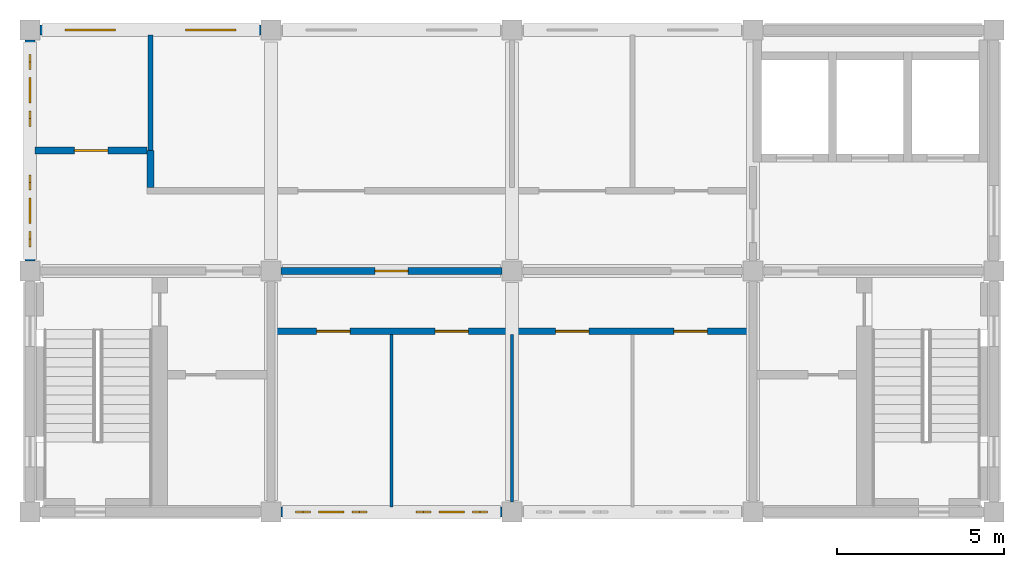
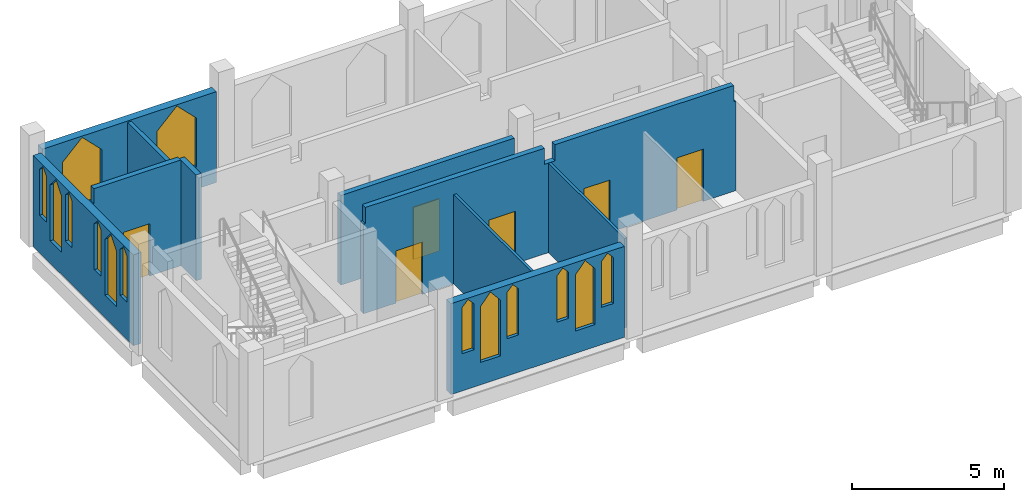
# One storey, part 2 of 5: 14 windows, 10 walls, 6 doors, 20 openings.
"""IFC4 building model written with IfcOpenShell, lengths in metres."""

from ifc_helpers import new_model, si_unit, direction, frame, frame_2d, origin, place, context, subcontext, project, spatial, polyline, rectangle, outline, extrude, material, layer, layer_set, type_object, element, fill, save


model = new_model("IFC4")

# Units and contexts
model_context = context("Model", 3, precision=1e-05, world=origin(), true_north=direction((0.0, 1.0)))
body_context = subcontext(model_context, "Body", "Model", "MODEL_VIEW")
ifc_project = project(units=[si_unit("LENGTHUNIT", "METRE"), si_unit("AREAUNIT", "SQUARE_METRE"), si_unit("VOLUMEUNIT", "CUBIC_METRE"), si_unit("PLANEANGLEUNIT", "RADIAN"), si_unit("MASSUNIT", "GRAM", prefix="KILO")], contexts=[model_context])

# Site, building, storey
site_placement = place(None, origin())
site = spatial("IfcSite", under=ifc_project, at=site_placement, CompositionType="ELEMENT")
building_placement = place(site_placement, origin())
building = spatial("IfcBuilding", under=site, at=building_placement, Name="Silangan Lancet Faculty of Sciences", CompositionType="ELEMENT")
storey_placement = place(building_placement, frame((0.0, 0.0, 72.300048828125)))
storey = spatial("IfcBuildingStorey", under=building, at=storey_placement, Name="L15", CompositionType="ELEMENT", Elevation=72.300048828125)

# Wall, openings, windows
ifc_material_1 = material(Name="Concrete C40/50 precast", Category="concrete")
ifc_layer_1 = layer(ifc_material_1, 0.300048828125)
ifc_layer_set_1 = layer_set([ifc_layer_1], Name="Concrete C40/50 precast")
wall_type_1 = type_object("IfcWallType", Name="EW1 Precast cladding wall", PredefinedType="STANDARD", material=ifc_layer_set_1)
wall_1_placement = place(storey_placement, frame((0.0, 7.5, 0.0), z_axis=(0.0, 0.0, 1.0), x_axis=(0.0, 1.0, 0.0)))
wall_1 = element("IfcWall", 1, at=wall_1_placement, inside=storey, type_object=wall_type_1, Name="EW-L15-W-ST-U-01", PredefinedType="STANDARD", context=body_context, shape_type="SweptSolid", body=[
    extrude(rectangle(XDim=6.60009765625, YDim=0.300048828125, at=frame_2d((3.300048828125, 0.0))), origin(), (0.0, 0.0, 1.0), 3.64990234375),
])
opening_1_placement = place(wall_1_placement, frame((0.425048828125, 0.0, 1.5)))
opening_1 = element("IfcOpeningElement", 2, at=opening_1_placement, cuts=wall_1, Name="Opening W27", PredefinedType="OPENING", context=body_context, shape_type="SweptSolid", body=[
    extrude(outline(polyline([(0.0, 0.0), (0.449951171875, 0.0), (0.449951171875, 1.85009765625), (0.22509765625, 2.10009765625), (0.0, 1.85009765625), (0.0, 0.0)])), frame((0.0, 0.159912109375, 0.0), z_axis=(0.0, -1.0, 0.0), x_axis=(1.0, 0.0, 0.0)), (0.0, 0.0, 1.0), 0.320068359375),
])
opening_2_placement = place(wall_1_placement, frame((1.125, 0.0, 0.89990234375)))
opening_2 = element("IfcOpeningElement", 3, at=opening_2_placement, cuts=wall_1, Name="Opening W28", PredefinedType="OPENING", context=body_context, shape_type="SweptSolid", body=[
    extrude(outline(polyline([(0.0, 0.0), (0.75, 0.0), (0.75, 2.25), (0.375, 2.699951171875), (0.0, 2.25), (0.0, 0.0)])), frame((0.0, 0.159912109375, 0.0), z_axis=(0.0, -1.0, 0.0), x_axis=(1.0, 0.0, 0.0)), (0.0, 0.0, 1.0), 0.320068359375),
])
opening_3_placement = place(wall_1_placement, frame((2.125, 0.0, 1.5)))
opening_3 = element("IfcOpeningElement", 4, at=opening_3_placement, cuts=wall_1, Name="Opening W27", PredefinedType="OPENING", context=body_context, shape_type="SweptSolid", body=[
    extrude(outline(polyline([(0.0, 0.0), (0.449951171875, 0.0), (0.449951171875, 1.85009765625), (0.22509765625, 2.10009765625), (0.0, 1.85009765625), (0.0, 0.0)])), frame((0.0, 0.159912109375, 0.0), z_axis=(0.0, -1.0, 0.0), x_axis=(1.0, 0.0, 0.0)), (0.0, 0.0, 1.0), 0.320068359375),
])
opening_4_placement = place(wall_1_placement, frame((4.02490234375, 0.0, 1.5)))
opening_4 = element("IfcOpeningElement", 5, at=opening_4_placement, cuts=wall_1, Name="Opening W27", PredefinedType="OPENING", context=body_context, shape_type="SweptSolid", body=[
    extrude(outline(polyline([(0.0, 0.0), (0.449951171875, 0.0), (0.449951171875, 1.85009765625), (0.22509765625, 2.10009765625), (0.0, 1.85009765625), (0.0, 0.0)])), frame((0.0, 0.159912109375, 0.0), z_axis=(0.0, -1.0, 0.0), x_axis=(1.0, 0.0, 0.0)), (0.0, 0.0, 1.0), 0.320068359375),
])
opening_5_placement = place(wall_1_placement, frame((4.72509765625, 0.0, 0.89990234375)))
opening_5 = element("IfcOpeningElement", 6, at=opening_5_placement, cuts=wall_1, Name="Opening W28", PredefinedType="OPENING", context=body_context, shape_type="SweptSolid", body=[
    extrude(outline(polyline([(0.0, 0.0), (0.75, 0.0), (0.75, 2.25), (0.375, 2.699951171875), (0.0, 2.25), (0.0, 0.0)])), frame((0.0, 0.159912109375, 0.0), z_axis=(0.0, -1.0, 0.0), x_axis=(1.0, 0.0, 0.0)), (0.0, 0.0, 1.0), 0.320068359375),
])
opening_6_placement = place(wall_1_placement, frame((5.72509765625, 0.0, 1.5)))
opening_6 = element("IfcOpeningElement", 7, at=opening_6_placement, cuts=wall_1, Name="Opening W27", PredefinedType="OPENING", context=body_context, shape_type="SweptSolid", body=[
    extrude(outline(polyline([(0.0, 0.0), (0.449951171875, 0.0), (0.449951171875, 1.85009765625), (0.22509765625, 2.10009765625), (0.0, 1.85009765625), (0.0, 0.0)])), frame((0.0, 0.159912109375, 0.0), z_axis=(0.0, -1.0, 0.0), x_axis=(1.0, 0.0, 0.0)), (0.0, 0.0, 1.0), 0.320068359375),
])
ifc_material_2 = material(Name="Aluminium frame, laminated double glazing", Category="aluminium")
window_type_1 = type_object("IfcWindowType", Name="W27 Lancet window 450 x 2100 on a 1500 sill", PartitioningType="SINGLE_PANEL", PredefinedType="WINDOW", material=ifc_material_2)
window_1_placement = place(opening_1_placement, origin())
window_1 = element("IfcWindow", 8, at=window_1_placement, inside=storey, type_object=window_type_1, Name="WIN-L15-W-ST-U-01a1", OverallHeight=2.10009765625, OverallWidth=0.449951171875, PartitioningType="SINGLE_PANEL", PredefinedType="WINDOW", context=body_context, shape_type="SweptSolid", body=[
    extrude(outline(polyline([(0.0, 0.0), (0.449951171875, 0.0), (0.449951171875, 1.85009765625), (0.22509765625, 2.10009765625), (0.0, 1.85009765625), (0.0, 0.0)])), frame((0.0, 0.030029296875, 0.0), z_axis=(0.0, -1.0, 0.0), x_axis=(1.0, 0.0, 0.0)), (0.0, 0.0, 1.0), 0.06005859375),
])
fill(opening_1, window_1)
window_2_placement = place(opening_3_placement, origin())
window_2 = element("IfcWindow", 9, at=window_2_placement, inside=storey, type_object=window_type_1, Name="WIN-L15-W-ST-U-01a3", OverallHeight=2.10009765625, OverallWidth=0.449951171875, PartitioningType="SINGLE_PANEL", PredefinedType="WINDOW", context=body_context, shape_type="SweptSolid", body=[
    extrude(outline(polyline([(0.0, 0.0), (0.449951171875, 0.0), (0.449951171875, 1.85009765625), (0.22509765625, 2.10009765625), (0.0, 1.85009765625), (0.0, 0.0)])), frame((0.0, 0.030029296875, 0.0), z_axis=(0.0, -1.0, 0.0), x_axis=(1.0, 0.0, 0.0)), (0.0, 0.0, 1.0), 0.06005859375),
])
fill(opening_3, window_2)
window_3_placement = place(opening_4_placement, origin())
window_3 = element("IfcWindow", 10, at=window_3_placement, inside=storey, type_object=window_type_1, Name="WIN-L15-W-ST-U-01b1", OverallHeight=2.10009765625, OverallWidth=0.449951171875, PartitioningType="SINGLE_PANEL", PredefinedType="WINDOW", context=body_context, shape_type="SweptSolid", body=[
    extrude(outline(polyline([(0.0, 0.0), (0.449951171875, 0.0), (0.449951171875, 1.85009765625), (0.22509765625, 2.10009765625), (0.0, 1.85009765625), (0.0, 0.0)])), frame((0.0, 0.030029296875, 0.0), z_axis=(0.0, -1.0, 0.0), x_axis=(1.0, 0.0, 0.0)), (0.0, 0.0, 1.0), 0.06005859375),
])
fill(opening_4, window_3)
window_4_placement = place(opening_6_placement, origin())
window_4 = element("IfcWindow", 11, at=window_4_placement, inside=storey, type_object=window_type_1, Name="WIN-L15-W-ST-U-01b3", OverallHeight=2.10009765625, OverallWidth=0.449951171875, PartitioningType="SINGLE_PANEL", PredefinedType="WINDOW", context=body_context, shape_type="SweptSolid", body=[
    extrude(outline(polyline([(0.0, 0.0), (0.449951171875, 0.0), (0.449951171875, 1.85009765625), (0.22509765625, 2.10009765625), (0.0, 1.85009765625), (0.0, 0.0)])), frame((0.0, 0.030029296875, 0.0), z_axis=(0.0, -1.0, 0.0), x_axis=(1.0, 0.0, 0.0)), (0.0, 0.0, 1.0), 0.06005859375),
])
fill(opening_6, window_4)
ifc_material_3 = material(Name="Aluminium frame, laminated double glazing", Category="aluminium")
window_type_2 = type_object("IfcWindowType", Name="W28 Lancet window 750 x 2700", PartitioningType="SINGLE_PANEL", PredefinedType="WINDOW", material=ifc_material_3)
window_5_placement = place(opening_2_placement, origin())
window_5 = element("IfcWindow", 12, at=window_5_placement, inside=storey, type_object=window_type_2, Name="WIN-L15-W-ST-U-01a2", OverallHeight=2.699951171875, OverallWidth=0.75, PartitioningType="SINGLE_PANEL", PredefinedType="WINDOW", context=body_context, shape_type="SweptSolid", body=[
    extrude(outline(polyline([(0.0, 0.0), (0.75, 0.0), (0.75, 2.25), (0.375, 2.699951171875), (0.0, 2.25), (0.0, 0.0)])), frame((0.0, 0.030029296875, 0.0), z_axis=(0.0, -1.0, 0.0), x_axis=(1.0, 0.0, 0.0)), (0.0, 0.0, 1.0), 0.06005859375),
])
fill(opening_2, window_5)
window_6_placement = place(opening_5_placement, origin())
window_6 = element("IfcWindow", 13, at=window_6_placement, inside=storey, type_object=window_type_2, Name="WIN-L15-W-ST-U-01b2", OverallHeight=2.699951171875, OverallWidth=0.75, PartitioningType="SINGLE_PANEL", PredefinedType="WINDOW", context=body_context, shape_type="SweptSolid", body=[
    extrude(outline(polyline([(0.0, 0.0), (0.75, 0.0), (0.75, 2.25), (0.375, 2.699951171875), (0.0, 2.25), (0.0, 0.0)])), frame((0.0, 0.030029296875, 0.0), z_axis=(0.0, -1.0, 0.0), x_axis=(1.0, 0.0, 0.0)), (0.0, 0.0, 1.0), 0.06005859375),
])
fill(opening_5, window_6)

wall_2_placement = place(storey_placement, frame((7.5, 0.0, 0.0), z_axis=(0.0, 0.0, 1.0), x_axis=(1.0, 0.0, 0.0)))
wall_2 = element("IfcWall", 14, at=wall_2_placement, inside=storey, type_object=wall_type_1, Name="EW-L15-S-ST-01", PredefinedType="STANDARD", context=body_context, shape_type="SweptSolid", body=[
    extrude(rectangle(XDim=6.60009765625, YDim=0.300048828125, at=frame_2d((3.300048828125, 0.0))), origin(), (0.0, 0.0, 1.0), 3.64990234375),
])
opening_7_placement = place(wall_2_placement, frame((0.425048828125, 0.0, 1.5)))
opening_7 = element("IfcOpeningElement", 15, at=opening_7_placement, cuts=wall_2, Name="Opening W27", PredefinedType="OPENING", context=body_context, shape_type="SweptSolid", body=[
    extrude(outline(polyline([(0.0, 0.0), (0.449951171875, 0.0), (0.449951171875, 1.85009765625), (0.22509765625, 2.10009765625), (0.0, 1.85009765625), (0.0, 0.0)])), frame((0.0, 0.159912109375, 0.0), z_axis=(0.0, -1.0, 0.0), x_axis=(1.0, 0.0, 0.0)), (0.0, 0.0, 1.0), 0.320068359375),
])
opening_8_placement = place(wall_2_placement, frame((1.125, 0.0, 0.89990234375)))
opening_8 = element("IfcOpeningElement", 16, at=opening_8_placement, cuts=wall_2, Name="Opening W28", PredefinedType="OPENING", context=body_context, shape_type="SweptSolid", body=[
    extrude(outline(polyline([(0.0, 0.0), (0.75, 0.0), (0.75, 2.25), (0.375, 2.699951171875), (0.0, 2.25), (0.0, 0.0)])), frame((0.0, 0.159912109375, 0.0), z_axis=(0.0, -1.0, 0.0), x_axis=(1.0, 0.0, 0.0)), (0.0, 0.0, 1.0), 0.320068359375),
])
opening_9_placement = place(wall_2_placement, frame((2.125, 0.0, 1.5)))
opening_9 = element("IfcOpeningElement", 17, at=opening_9_placement, cuts=wall_2, Name="Opening W27", PredefinedType="OPENING", context=body_context, shape_type="SweptSolid", body=[
    extrude(outline(polyline([(0.0, 0.0), (0.449951171875, 0.0), (0.449951171875, 1.85009765625), (0.22509765625, 2.10009765625), (0.0, 1.85009765625), (0.0, 0.0)])), frame((0.0, 0.159912109375, 0.0), z_axis=(0.0, -1.0, 0.0), x_axis=(1.0, 0.0, 0.0)), (0.0, 0.0, 1.0), 0.320068359375),
])
opening_10_placement = place(wall_2_placement, frame((4.02490234375, 0.0, 1.5)))
opening_10 = element("IfcOpeningElement", 18, at=opening_10_placement, cuts=wall_2, Name="Opening W27", PredefinedType="OPENING", context=body_context, shape_type="SweptSolid", body=[
    extrude(outline(polyline([(0.0, 0.0), (0.449951171875, 0.0), (0.449951171875, 1.85009765625), (0.22509765625, 2.10009765625), (0.0, 1.85009765625), (0.0, 0.0)])), frame((0.0, 0.159912109375, 0.0), z_axis=(0.0, -1.0, 0.0), x_axis=(1.0, 0.0, 0.0)), (0.0, 0.0, 1.0), 0.320068359375),
])
opening_11_placement = place(wall_2_placement, frame((4.72509765625, 0.0, 0.89990234375)))
opening_11 = element("IfcOpeningElement", 19, at=opening_11_placement, cuts=wall_2, Name="Opening W28", PredefinedType="OPENING", context=body_context, shape_type="SweptSolid", body=[
    extrude(outline(polyline([(0.0, 0.0), (0.75, 0.0), (0.75, 2.25), (0.375, 2.699951171875), (0.0, 2.25), (0.0, 0.0)])), frame((0.0, 0.159912109375, 0.0), z_axis=(0.0, -1.0, 0.0), x_axis=(1.0, 0.0, 0.0)), (0.0, 0.0, 1.0), 0.320068359375),
])
opening_12_placement = place(wall_2_placement, frame((5.72509765625, 0.0, 1.5)))
opening_12 = element("IfcOpeningElement", 20, at=opening_12_placement, cuts=wall_2, Name="Opening W27", PredefinedType="OPENING", context=body_context, shape_type="SweptSolid", body=[
    extrude(outline(polyline([(0.0, 0.0), (0.449951171875, 0.0), (0.449951171875, 1.85009765625), (0.22509765625, 2.10009765625), (0.0, 1.85009765625), (0.0, 0.0)])), frame((0.0, 0.159912109375, 0.0), z_axis=(0.0, -1.0, 0.0), x_axis=(1.0, 0.0, 0.0)), (0.0, 0.0, 1.0), 0.320068359375),
])
window_7_placement = place(opening_7_placement, origin())
window_7 = element("IfcWindow", 21, at=window_7_placement, inside=storey, type_object=window_type_1, Name="WIN-L15-S-ST-01a1", OverallHeight=2.10009765625, OverallWidth=0.449951171875, PartitioningType="SINGLE_PANEL", PredefinedType="WINDOW", context=body_context, shape_type="SweptSolid", body=[
    extrude(outline(polyline([(0.0, 0.0), (0.449951171875, 0.0), (0.449951171875, 1.85009765625), (0.22509765625, 2.10009765625), (0.0, 1.85009765625), (0.0, 0.0)])), frame((0.0, 0.030029296875, 0.0), z_axis=(0.0, -1.0, 0.0), x_axis=(1.0, 0.0, 0.0)), (0.0, 0.0, 1.0), 0.06005859375),
])
fill(opening_7, window_7)
window_8_placement = place(opening_9_placement, origin())
window_8 = element("IfcWindow", 22, at=window_8_placement, inside=storey, type_object=window_type_1, Name="WIN-L15-S-ST-01a3", OverallHeight=2.10009765625, OverallWidth=0.449951171875, PartitioningType="SINGLE_PANEL", PredefinedType="WINDOW", context=body_context, shape_type="SweptSolid", body=[
    extrude(outline(polyline([(0.0, 0.0), (0.449951171875, 0.0), (0.449951171875, 1.85009765625), (0.22509765625, 2.10009765625), (0.0, 1.85009765625), (0.0, 0.0)])), frame((0.0, 0.030029296875, 0.0), z_axis=(0.0, -1.0, 0.0), x_axis=(1.0, 0.0, 0.0)), (0.0, 0.0, 1.0), 0.06005859375),
])
fill(opening_9, window_8)
window_9_placement = place(opening_10_placement, origin())
window_9 = element("IfcWindow", 23, at=window_9_placement, inside=storey, type_object=window_type_1, Name="WIN-L15-S-ST-01b1", OverallHeight=2.10009765625, OverallWidth=0.449951171875, PartitioningType="SINGLE_PANEL", PredefinedType="WINDOW", context=body_context, shape_type="SweptSolid", body=[
    extrude(outline(polyline([(0.0, 0.0), (0.449951171875, 0.0), (0.449951171875, 1.85009765625), (0.22509765625, 2.10009765625), (0.0, 1.85009765625), (0.0, 0.0)])), frame((0.0, 0.030029296875, 0.0), z_axis=(0.0, -1.0, 0.0), x_axis=(1.0, 0.0, 0.0)), (0.0, 0.0, 1.0), 0.06005859375),
])
fill(opening_10, window_9)
window_10_placement = place(opening_12_placement, origin())
window_10 = element("IfcWindow", 24, at=window_10_placement, inside=storey, type_object=window_type_1, Name="WIN-L15-S-ST-01b3", OverallHeight=2.10009765625, OverallWidth=0.449951171875, PartitioningType="SINGLE_PANEL", PredefinedType="WINDOW", context=body_context, shape_type="SweptSolid", body=[
    extrude(outline(polyline([(0.0, 0.0), (0.449951171875, 0.0), (0.449951171875, 1.85009765625), (0.22509765625, 2.10009765625), (0.0, 1.85009765625), (0.0, 0.0)])), frame((0.0, 0.030029296875, 0.0), z_axis=(0.0, -1.0, 0.0), x_axis=(1.0, 0.0, 0.0)), (0.0, 0.0, 1.0), 0.06005859375),
])
fill(opening_12, window_10)
window_11_placement = place(opening_8_placement, origin())
window_11 = element("IfcWindow", 25, at=window_11_placement, inside=storey, type_object=window_type_2, Name="WIN-L15-S-ST-01a2", OverallHeight=2.699951171875, OverallWidth=0.75, PartitioningType="SINGLE_PANEL", PredefinedType="WINDOW", context=body_context, shape_type="SweptSolid", body=[
    extrude(outline(polyline([(0.0, 0.0), (0.75, 0.0), (0.75, 2.25), (0.375, 2.699951171875), (0.0, 2.25), (0.0, 0.0)])), frame((0.0, 0.030029296875, 0.0), z_axis=(0.0, -1.0, 0.0), x_axis=(1.0, 0.0, 0.0)), (0.0, 0.0, 1.0), 0.06005859375),
])
fill(opening_8, window_11)
window_12_placement = place(opening_11_placement, origin())
window_12 = element("IfcWindow", 26, at=window_12_placement, inside=storey, type_object=window_type_2, Name="WIN-L15-S-ST-01b2", OverallHeight=2.699951171875, OverallWidth=0.75, PartitioningType="SINGLE_PANEL", PredefinedType="WINDOW", context=body_context, shape_type="SweptSolid", body=[
    extrude(outline(polyline([(0.0, 0.0), (0.75, 0.0), (0.75, 2.25), (0.375, 2.699951171875), (0.0, 2.25), (0.0, 0.0)])), frame((0.0, 0.030029296875, 0.0), z_axis=(0.0, -1.0, 0.0), x_axis=(1.0, 0.0, 0.0)), (0.0, 0.0, 1.0), 0.06005859375),
])
fill(opening_11, window_12)

wall_3_placement = place(storey_placement, frame((6.89990234375, 14.39990234375, 0.0), z_axis=(0.0, 0.0, 1.0), x_axis=(-1.0, 0.0, 0.0)))
wall_3 = element("IfcWall", 27, at=wall_3_placement, inside=storey, type_object=wall_type_1, Name="EW-L15-N-ST-U-03", PredefinedType="STANDARD", context=body_context, shape_type="SweptSolid", body=[
    extrude(rectangle(XDim=6.599853515625, YDim=0.300048828125, at=frame_2d((3.2998046875, 0.0))), origin(), (0.0, 0.0, 1.0), 3.64990234375),
])
opening_13_placement = place(wall_3_placement, frame((0.75, 0.0, 0.89990234375)))
opening_13 = element("IfcOpeningElement", 28, at=opening_13_placement, cuts=wall_3, Name="Opening W23", PredefinedType="OPENING", context=body_context, shape_type="SweptSolid", body=[
    extrude(outline(polyline([(0.0, 0.0), (1.5, 0.0), (1.5, 1.949951171875), (0.75, 2.699951171875), (0.0, 1.949951171875), (0.0, 0.0)])), frame((0.0, 0.159912109375, 0.0), z_axis=(0.0, -1.0, 0.0), x_axis=(1.0, 0.0, 0.0)), (0.0, 0.0, 1.0), 0.320068359375),
])
opening_14_placement = place(wall_3_placement, frame((4.35009765625, 0.0, 0.89990234375)))
opening_14 = element("IfcOpeningElement", 29, at=opening_14_placement, cuts=wall_3, Name="Opening W23", PredefinedType="OPENING", context=body_context, shape_type="SweptSolid", body=[
    extrude(outline(polyline([(0.0, 0.0), (1.5, 0.0), (1.5, 1.949951171875), (0.75, 2.699951171875), (0.0, 1.949951171875), (0.0, 0.0)])), frame((0.0, 0.159912109375, 0.0), z_axis=(0.0, -1.0, 0.0), x_axis=(1.0, 0.0, 0.0)), (0.0, 0.0, 1.0), 0.320068359375),
])
ifc_material_4 = material(Name="Aluminium frame, laminated double glazing", Category="aluminium")
window_type_3 = type_object("IfcWindowType", Name="W23 Lancet window 1500 x 2700", PartitioningType="SINGLE_PANEL", PredefinedType="WINDOW", material=ifc_material_4)
window_13_placement = place(opening_13_placement, origin())
window_13 = element("IfcWindow", 30, at=window_13_placement, inside=storey, type_object=window_type_3, Name="WIN-L15-N-ST-U-03a", OverallHeight=2.699951171875, OverallWidth=1.5, PartitioningType="SINGLE_PANEL", PredefinedType="WINDOW", context=body_context, shape_type="SweptSolid", body=[
    extrude(outline(polyline([(0.0, 0.0), (1.5, 0.0), (1.5, 1.949951171875), (0.75, 2.699951171875), (0.0, 1.949951171875), (0.0, 0.0)])), frame((0.0, 0.030029296875, 0.0), z_axis=(0.0, -1.0, 0.0), x_axis=(1.0, 0.0, 0.0)), (0.0, 0.0, 1.0), 0.06005859375),
])
fill(opening_13, window_13)
window_14_placement = place(opening_14_placement, origin())
window_14 = element("IfcWindow", 31, at=window_14_placement, inside=storey, type_object=window_type_3, Name="WIN-L15-N-ST-U-03b", OverallHeight=2.699951171875, OverallWidth=1.5, PartitioningType="SINGLE_PANEL", PredefinedType="WINDOW", context=body_context, shape_type="SweptSolid", body=[
    extrude(outline(polyline([(0.0, 0.0), (1.5, 0.0), (1.5, 1.949951171875), (0.75, 2.699951171875), (0.0, 1.949951171875), (0.0, 0.0)])), frame((0.0, 0.030029296875, 0.0), z_axis=(0.0, -1.0, 0.0), x_axis=(1.0, 0.0, 0.0)), (0.0, 0.0, 1.0), 0.06005859375),
])
fill(opening_14, window_14)

# Wall, openings, doors
ifc_material_5 = material(Name="Hollow block masonry fm 7 MPa", Category="masonry")
ifc_layer_2 = layer(ifc_material_5, 0.199951171875)
ifc_layer_set_2 = layer_set([ifc_layer_2], Name="Hollow block masonry fm 7 MPa")
wall_type_2 = type_object("IfcWallType", Name="Interior wall PW1 Corridor wall CHB 200", PredefinedType="PARTITIONING", material=ifc_layer_set_2)
wall_4_placement = place(storey_placement, frame((7.324951171875, 5.39990234375, 0.0), z_axis=(0.0, 0.0, 1.0), x_axis=(1.0, 0.0, 0.0)))
wall_4 = element("IfcWall", 32, at=wall_4_placement, inside=storey, type_object=wall_type_2, Name="Corridor wall CHB 200", PredefinedType="PARTITIONING", context=body_context, shape_type="SweptSolid", body=[
    extrude(outline(polyline([(0.0, 0.0), (14.150146484375, 0.0), (14.150146484375, 3.599853515625), (14.074951171875, 3.599853515625), (14.074951171875, 4.25), (7.27490234375, 4.25), (7.27490234375, 3.599853515625), (6.875, 3.599853515625), (6.875, 4.25), (0.074951171875, 4.25), (0.074951171875, 3.599853515625), (0.0, 3.599853515625), (0.0, 0.0)])), frame((0.0, 0.10009765625, 0.0), z_axis=(0.0, -1.0, 0.0), x_axis=(1.0, 0.0, 0.0)), (0.0, 0.0, 1.0), 0.199951171875),
])
opening_15_placement = place(wall_4_placement, frame((1.237548828125, 0.0, 0.0)))
opening_15 = element("IfcOpeningElement", 33, at=opening_15_placement, cuts=wall_4, Name="Opening L15-004", PredefinedType="OPENING", context=body_context, shape_type="SweptSolid", body=[
    extrude(rectangle(XDim=1.0, YDim=2.10009765625, at=frame_2d((0.5, 1.050048828125))), frame((0.0, 0.10986328125, 0.0), z_axis=(0.0, -1.0, 0.0), x_axis=(1.0, 0.0, 0.0)), (0.0, 0.0, 1.0), 0.219970703125),
])
opening_16_placement = place(wall_4_placement, frame((4.77490234375, 0.0, 0.0)))
opening_16 = element("IfcOpeningElement", 34, at=opening_16_placement, cuts=wall_4, Name="Opening L15-005", PredefinedType="OPENING", context=body_context, shape_type="SweptSolid", body=[
    extrude(rectangle(XDim=1.0, YDim=2.10009765625, at=frame_2d((0.5, 1.050048828125))), frame((0.0, 0.10986328125, 0.0), z_axis=(0.0, -1.0, 0.0), x_axis=(1.0, 0.0, 0.0)), (0.0, 0.0, 1.0), 0.219970703125),
])
opening_17_placement = place(wall_4_placement, frame((8.375, 0.0, 0.0)))
opening_17 = element("IfcOpeningElement", 35, at=opening_17_placement, cuts=wall_4, Name="Opening L15-006", PredefinedType="OPENING", context=body_context, shape_type="SweptSolid", body=[
    extrude(rectangle(XDim=1.0, YDim=2.10009765625, at=frame_2d((0.5, 1.050048828125))), frame((0.0, 0.10986328125, 0.0), z_axis=(0.0, -1.0, 0.0), x_axis=(1.0, 0.0, 0.0)), (0.0, 0.0, 1.0), 0.219970703125),
])
opening_18_placement = place(wall_4_placement, frame((11.91259765625, 0.0, 0.0)))
opening_18 = element("IfcOpeningElement", 36, at=opening_18_placement, cuts=wall_4, Name="Opening L15-007", PredefinedType="OPENING", context=body_context, shape_type="SweptSolid", body=[
    extrude(rectangle(XDim=1.0, YDim=2.10009765625, at=frame_2d((0.5, 1.050048828125))), frame((0.0, 0.10986328125, 0.0), z_axis=(0.0, -1.0, 0.0), x_axis=(1.0, 0.0, 0.0)), (0.0, 0.0, 1.0), 0.219970703125),
])
ifc_material_6 = material(Name="Steel fire door set", Category="steel")
door_type = type_object("IfcDoorType", Name="Door D1 Single leaf fire door 1000 x 2100", OperationType="SINGLE_SWING_LEFT", PredefinedType="DOOR", material=ifc_material_6)
door_1_placement = place(opening_15_placement, frame((1.0, 0.0, 0.0), z_axis=(0.0, 0.0, 1.0), x_axis=(-1.0, 0.0, 0.0)))
door_1 = element("IfcDoor", 37, at=door_1_placement, inside=storey, type_object=door_type, Name="Single leaf fire door 1000 x 2100", OperationType="SINGLE_SWING_RIGHT", OverallHeight=2.10009765625, OverallWidth=1.0, PredefinedType="DOOR", context=body_context, shape_type="SweptSolid", body=[
    extrude(rectangle(XDim=1.0, YDim=2.10009765625, at=frame_2d((0.5, 1.050048828125))), frame((0.0, 0.025146484375, 0.0), z_axis=(0.0, -1.0, 0.0), x_axis=(1.0, 0.0, 0.0)), (0.0, 0.0, 1.0), 0.050048828125),
])
fill(opening_15, door_1)
door_2_placement = place(opening_16_placement, frame((1.0, 0.0, 0.0), z_axis=(0.0, 0.0, 1.0), x_axis=(-1.0, 0.0, 0.0)))
door_2 = element("IfcDoor", 38, at=door_2_placement, inside=storey, type_object=door_type, Name="Single leaf fire door 1000 x 2100", OperationType="SINGLE_SWING_LEFT", OverallHeight=2.10009765625, OverallWidth=1.0, PredefinedType="DOOR", context=body_context, shape_type="SweptSolid", body=[
    extrude(rectangle(XDim=1.0, YDim=2.10009765625, at=frame_2d((0.5, 1.050048828125))), frame((0.0, 0.025146484375, 0.0), z_axis=(0.0, -1.0, 0.0), x_axis=(1.0, 0.0, 0.0)), (0.0, 0.0, 1.0), 0.050048828125),
])
fill(opening_16, door_2)
door_3_placement = place(opening_17_placement, frame((1.0, 0.0, 0.0), z_axis=(0.0, 0.0, 1.0), x_axis=(-1.0, 0.0, 0.0)))
door_3 = element("IfcDoor", 39, at=door_3_placement, inside=storey, type_object=door_type, Name="Single leaf fire door 1000 x 2100", OperationType="SINGLE_SWING_RIGHT", OverallHeight=2.10009765625, OverallWidth=1.0, PredefinedType="DOOR", context=body_context, shape_type="SweptSolid", body=[
    extrude(rectangle(XDim=1.0, YDim=2.10009765625, at=frame_2d((0.5, 1.050048828125))), frame((0.0, 0.025146484375, 0.0), z_axis=(0.0, -1.0, 0.0), x_axis=(1.0, 0.0, 0.0)), (0.0, 0.0, 1.0), 0.050048828125),
])
fill(opening_17, door_3)
door_4_placement = place(opening_18_placement, frame((1.0, 0.0, 0.0), z_axis=(0.0, 0.0, 1.0), x_axis=(-1.0, 0.0, 0.0)))
door_4 = element("IfcDoor", 40, at=door_4_placement, inside=storey, type_object=door_type, Name="Single leaf fire door 1000 x 2100", OperationType="SINGLE_SWING_LEFT", OverallHeight=2.10009765625, OverallWidth=1.0, PredefinedType="DOOR", context=body_context, shape_type="SweptSolid", body=[
    extrude(rectangle(XDim=1.0, YDim=2.10009765625, at=frame_2d((0.5, 1.050048828125))), frame((0.0, 0.025146484375, 0.0), z_axis=(0.0, -1.0, 0.0), x_axis=(1.0, 0.0, 0.0)), (0.0, 0.0, 1.0), 0.050048828125),
])
fill(opening_18, door_4)

# Wall, opening, door
wall_5_placement = place(storey_placement, frame((7.5, 7.199951171875, 0.0), z_axis=(0.0, 0.0, 1.0), x_axis=(1.0, 0.0, 0.0)))
wall_5 = element("IfcWall", 41, at=wall_5_placement, inside=storey, type_object=wall_type_2, Name="Corridor wall CHB 200", PredefinedType="PARTITIONING", context=body_context, shape_type="SweptSolid", body=[
    extrude(rectangle(XDim=6.60009765625, YDim=0.199951171875, at=frame_2d((3.300048828125, 0.0))), origin(), (0.0, 0.0, 1.0), 3.599853515625),
])
opening_19_placement = place(wall_5_placement, frame((2.800048828125, 0.0, 0.0)))
opening_19 = element("IfcOpeningElement", 42, at=opening_19_placement, cuts=wall_5, Name="Opening L15-002", PredefinedType="OPENING", context=body_context, shape_type="SweptSolid", body=[
    extrude(rectangle(XDim=1.0, YDim=2.10009765625, at=frame_2d((0.5, 1.050048828125))), frame((0.0, 0.10986328125, 0.0), z_axis=(0.0, -1.0, 0.0), x_axis=(1.0, 0.0, 0.0)), (0.0, 0.0, 1.0), 0.219970703125),
])
door_5_placement = place(opening_19_placement, frame((1.0, 0.0, 0.0), z_axis=(0.0, 0.0, 1.0), x_axis=(-1.0, 0.0, 0.0)))
door_5 = element("IfcDoor", 43, at=door_5_placement, inside=storey, type_object=door_type, Name="Single leaf fire door 1000 x 2100", OperationType="SINGLE_SWING_RIGHT", OverallHeight=2.10009765625, OverallWidth=1.0, PredefinedType="DOOR", context=body_context, shape_type="SweptSolid", body=[
    extrude(rectangle(XDim=1.0, YDim=2.10009765625, at=frame_2d((0.5, 1.050048828125))), frame((0.0, 0.025146484375, 0.0), z_axis=(0.0, -1.0, 0.0), x_axis=(1.0, 0.0, 0.0)), (0.0, 0.0, 1.0), 0.050048828125),
])
fill(opening_19, door_5)

wall_6_placement = place(storey_placement, frame((0.14990234375, 10.800048828125, 0.0), z_axis=(0.0, 0.0, 1.0), x_axis=(1.0, 0.0, 0.0)))
wall_6 = element("IfcWall", 44, at=wall_6_placement, inside=storey, type_object=wall_type_2, Name="Corridor wall CHB 200", PredefinedType="PARTITIONING", context=body_context, shape_type="SweptSolid", body=[
    extrude(outline(polyline([(0.0, 0.0), (3.35009765625, 0.0), (3.35009765625, 4.25), (0.050048828125, 4.25), (0.050048828125, 3.64990234375), (0.0, 3.64990234375), (0.0, 0.0)])), frame((0.0, 0.10009765625, 0.0), z_axis=(0.0, -1.0, 0.0), x_axis=(1.0, 0.0, 0.0)), (0.0, 0.0, 1.0), 0.199951171875),
])
opening_20_placement = place(wall_6_placement, frame((1.175048828125, 0.0, 0.0)))
opening_20 = element("IfcOpeningElement", 45, at=opening_20_placement, cuts=wall_6, Name="Opening L15-009", PredefinedType="OPENING", context=body_context, shape_type="SweptSolid", body=[
    extrude(rectangle(XDim=1.0, YDim=2.10009765625, at=frame_2d((0.5, 1.050048828125))), frame((0.0, 0.10986328125, 0.0), z_axis=(0.0, -1.0, 0.0), x_axis=(1.0, 0.0, 0.0)), (0.0, 0.0, 1.0), 0.219970703125),
])
door_6_placement = place(opening_20_placement, origin())
door_6 = element("IfcDoor", 46, at=door_6_placement, inside=storey, type_object=door_type, Name="Single leaf fire door 1000 x 2100", OperationType="SINGLE_SWING_RIGHT", OverallHeight=2.10009765625, OverallWidth=1.0, PredefinedType="DOOR", context=body_context, shape_type="SweptSolid", body=[
    extrude(rectangle(XDim=1.0, YDim=2.10009765625, at=frame_2d((0.5, 1.050048828125))), frame((0.0, 0.02490234375, 0.0), z_axis=(0.0, -1.0, 0.0), x_axis=(1.0, 0.0, 0.0)), (0.0, 0.0, 1.0), 0.050048828125),
])
fill(opening_20, door_6)

# Walls
wall_7_placement = place(storey_placement, frame((3.60009765625, 9.699951171875, 0.0), z_axis=(0.0, 0.0, 1.0), x_axis=(0.0, 1.0, 0.0)))
element("IfcWall", 47, at=wall_7_placement, inside=storey, type_object=wall_type_2, Name="Corridor wall CHB 200", PredefinedType="PARTITIONING", context=body_context, shape_type="SweptSolid", body=[
    extrude(rectangle(XDim=1.10009765625, YDim=0.199951171875, at=frame_2d((0.550048828125, 0.0))), origin(), (0.0, 0.0, 1.0), 4.25),
])
ifc_material_7 = material(Name="Hollow block masonry fm 7 MPa", Category="masonry")
ifc_layer_3 = layer(ifc_material_7, 0.14990234375)
ifc_layer_set_3 = layer_set([ifc_layer_3], Name="Hollow block masonry fm 7 MPa")
wall_type_3 = type_object("IfcWallType", Name="Interior wall PW3 Partition CHB 150", PredefinedType="PARTITIONING", material=ifc_layer_set_3)
wall_8_placement = place(storey_placement, frame((3.60009765625, 10.800048828125, 0.0), z_axis=(0.0, 0.0, 1.0), x_axis=(0.0, 1.0, 0.0)))
element("IfcWall", 48, at=wall_8_placement, inside=storey, type_object=wall_type_3, Name="Partition CHB 150", PredefinedType="PARTITIONING", context=body_context, shape_type="SweptSolid", body=[
    extrude(rectangle(XDim=3.449951171875, YDim=0.14990234375, at=frame_2d((1.72509765625, 0.0))), origin(), (0.0, 0.0, 1.0), 3.599853515625),
])
ifc_material_8 = material(Name="Hollow block masonry fm 7 MPa", Category="masonry")
ifc_layer_4 = layer(ifc_material_8, 0.10009765625)
ifc_layer_set_4 = layer_set([ifc_layer_4], Name="Hollow block masonry fm 7 MPa")
wall_type_4 = type_object("IfcWallType", Name="Interior wall PW8 WC partition CHB 100", PredefinedType="PARTITIONING", material=ifc_layer_set_4)
wall_9_placement = place(storey_placement, frame((10.800048828125, 0.14990234375, 0.0), z_axis=(0.0, 0.0, 1.0), x_axis=(0.0, 1.0, 0.0)))
element("IfcWall", 49, at=wall_9_placement, inside=storey, type_object=wall_type_4, Name="WC partition CHB 100", PredefinedType="PARTITIONING", context=body_context, shape_type="SweptSolid", body=[
    extrude(rectangle(XDim=5.150146484375, YDim=0.10009765625, at=frame_2d((2.5751953125, 0.0))), origin(), (0.0, 0.0, 1.0), 3.599853515625),
])
wall_10_placement = place(storey_placement, frame((14.39990234375, 0.300048828125, 0.0), z_axis=(0.0, 0.0, 1.0), x_axis=(0.0, 1.0, 0.0)))
element("IfcWall", 50, at=wall_10_placement, inside=storey, type_object=wall_type_4, Name="WC partition CHB 100", PredefinedType="PARTITIONING", context=body_context, shape_type="SweptSolid", body=[
    extrude(rectangle(XDim=5.0, YDim=0.10009765625, at=frame_2d((2.5, 0.0))), origin(), (0.0, 0.0, 1.0), 3.599853515625),
])

save(model, "model.ifc")
